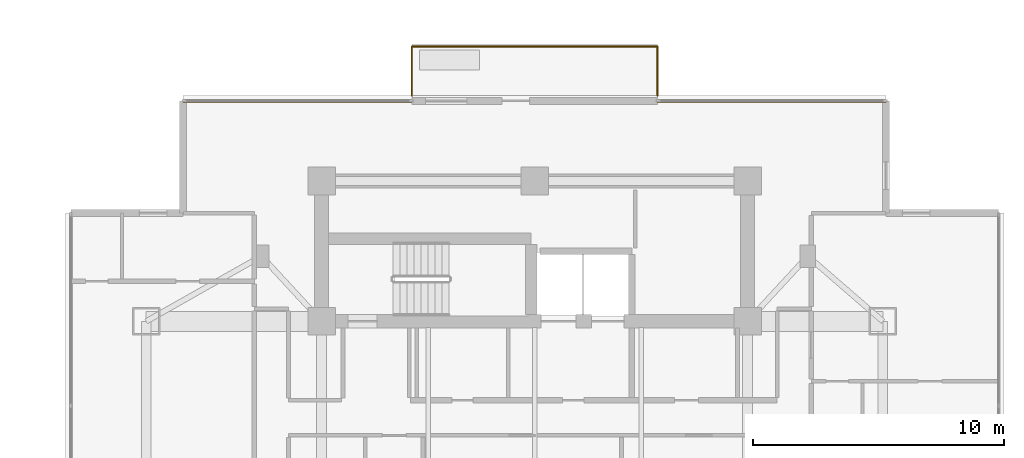
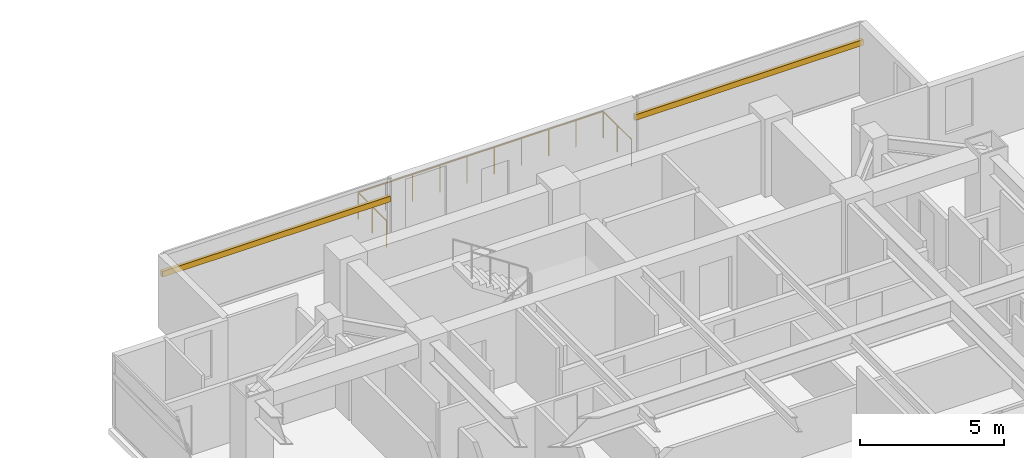
# One storey, part 24 of 24: 3 railings, 2 shading devices.
"""IFC4 building model written with IfcOpenShell, lengths in metres."""

from ifc_helpers import new_model, si_unit, direction, frame, origin, origin_2d, place, context, subcontext, project, spatial, rectangle, circle, extrude, material, material_profile, profile_set, type_object, element, save


model = new_model("IFC4")

# Units and contexts
model_context = context("Model", 3, precision=1e-05, world=origin(), true_north=direction((0.0, 1.0)))
body_context = subcontext(model_context, "Body", "Model", "MODEL_VIEW")
ifc_project = project(units=[si_unit("LENGTHUNIT", "METRE"), si_unit("AREAUNIT", "SQUARE_METRE"), si_unit("VOLUMEUNIT", "CUBIC_METRE"), si_unit("PLANEANGLEUNIT", "RADIAN"), si_unit("MASSUNIT", "GRAM", prefix="KILO")], contexts=[model_context])

# Site, building, storey
site_placement = place(None, origin())
site = spatial("IfcSite", under=ifc_project, at=site_placement, CompositionType="ELEMENT")
building_placement = place(site_placement, origin())
building = spatial("IfcBuilding", under=site, at=building_placement, Name="Mirazonda Arch Towers", CompositionType="ELEMENT")
storey_placement = place(building_placement, frame((0.0, 0.0, 141.199951171875)))
storey = spatial("IfcBuildingStorey", under=building, at=storey_placement, Name="L40", CompositionType="ELEMENT", Elevation=141.199951171875)

# Shading devices
ifc_material_1 = material(Name="Kiln-Fired Architectural Terracotta", Category="masonry")
ifc_material_profile = material_profile(ifc_material_1, rectangle(XDim=0.1201171875, YDim=0.239990234375, at=origin_2d()), Name="TERRA-BAG-120x240")
ifc_profile_set = profile_set([ifc_material_profile], Name="Kiln-Fired Architectural Terracotta")
shading_device_type = type_object("IfcShadingDeviceType", Name="BAGUETTE-1", PredefinedType="USERDEFINED", material=ifc_profile_set)
for number, where, z_axis, x_axis, name in (
    (1, (62.4755859375, 44.002197265625, 2.203369140625), (1.0, 0.0, 0.0), (0.0, 1.0, 0.0), "L40 Glazed Terracotta Sun-Screen Baguette CW-L40-T2-NA"),
    (2, (81.389892578125, 44.002197265625, 2.203369140625), (1.0, 0.0, 0.0), (0.0, 1.0, 0.0), "L40 Glazed Terracotta Sun-Screen Baguette CW-L40-T2-NB"),
):
    element("IfcShadingDevice", number, at=place(storey_placement, frame(where, z_axis=z_axis, x_axis=x_axis)), inside=storey, type_object=shading_device_type, Name=name, ObjectType="BAGUETTE", PredefinedType="USERDEFINED", context=body_context, shape_type="SweptSolid", body=[
        extrude(rectangle(XDim=0.1201171875, YDim=0.239990234375, at=origin_2d()), origin(), (0.0, 0.0, 1.0), 9.134521484375),
    ])

# Railings
ifc_material_2 = material(Name="Architectural Brushed Steel S355", Category="steel")
railing_type = type_object("IfcRailingType", Name="GUARD-EXT-1150", PredefinedType="GUARDRAIL", material=ifc_material_2)
railing_1_placement = place(storey_placement, frame((71.60009765625, 44.212158203125, 0.0)))
element("IfcRailing", 3, at=railing_1_placement, inside=storey, type_object=railing_type, Name="L40 T2 Sky-Terrace Guard 01", PredefinedType="GUARDRAIL", context=body_context, shape_type="SweptSolid", body=[
    extrude(circle(Radius=0.02392578125, at=origin_2d()), frame((0.0, 0.0, 1.1259765625), z_axis=(0.0, 1.0, 0.0), x_axis=(-1.0, 0.0, 0.0)), (0.0, 0.0, 1.0), 1.9599609375),
    extrude(circle(Radius=0.02099609375, at=origin_2d()), origin(), (0.0, 0.0, 1.0), 1.101806640625),
    extrude(circle(Radius=0.02099609375, at=origin_2d()), frame((0.0, 0.97998046875, 0.0)), (0.0, 0.0, 1.0), 1.101806640625),
    extrude(circle(Radius=0.02099609375, at=origin_2d()), frame((0.0, 1.9599609375, 0.0)), (0.0, 0.0, 1.0), 1.101806640625),
])
railing_2_placement = place(storey_placement, frame((71.60009765625, 46.172119140625, 0.0)))
element("IfcRailing", 4, at=railing_2_placement, inside=storey, type_object=railing_type, Name="L40 T2 Sky-Terrace Guard 02", PredefinedType="GUARDRAIL", context=body_context, shape_type="SweptSolid", body=[
    extrude(circle(Radius=0.02392578125, at=origin_2d()), frame((0.0, 0.0, 1.1259765625), z_axis=(1.0, 0.0, 0.0), x_axis=(0.0, 1.0, 0.0)), (0.0, 0.0, 1.0), 9.7998046875),
    extrude(circle(Radius=0.02099609375, at=origin_2d()), origin(), (0.0, 0.0, 1.0), 1.101806640625),
    extrude(circle(Radius=0.02099609375, at=origin_2d()), frame((1.0888671875, 0.0, 0.0)), (0.0, 0.0, 1.0), 1.101806640625),
    extrude(circle(Radius=0.02099609375, at=origin_2d()), frame((2.177734375, 0.0, 0.0)), (0.0, 0.0, 1.0), 1.101806640625),
    extrude(circle(Radius=0.02099609375, at=origin_2d()), frame((3.2666015625, 0.0, 0.0)), (0.0, 0.0, 1.0), 1.101806640625),
    extrude(circle(Radius=0.02099609375, at=origin_2d()), frame((4.35546875, 0.0, 0.0)), (0.0, 0.0, 1.0), 1.101806640625),
    extrude(circle(Radius=0.02099609375, at=origin_2d()), frame((5.4443359375, 0.0, 0.0)), (0.0, 0.0, 1.0), 1.101806640625),
    extrude(circle(Radius=0.02099609375, at=origin_2d()), frame((6.533203125, 0.0, 0.0)), (0.0, 0.0, 1.0), 1.101806640625),
    extrude(circle(Radius=0.02099609375, at=origin_2d()), frame((7.6220703125, 0.0, 0.0)), (0.0, 0.0, 1.0), 1.101806640625),
    extrude(circle(Radius=0.02099609375, at=origin_2d()), frame((8.7109375, 0.0, 0.0)), (0.0, 0.0, 1.0), 1.101806640625),
    extrude(circle(Radius=0.02099609375, at=origin_2d()), frame((9.7998046875, 0.0, 0.0)), (0.0, 0.0, 1.0), 1.101806640625),
])
railing_3_placement = place(storey_placement, frame((81.39990234375, 46.172119140625, 0.0)))
element("IfcRailing", 5, at=railing_3_placement, inside=storey, type_object=railing_type, Name="L40 T2 Sky-Terrace Guard 03", PredefinedType="GUARDRAIL", context=body_context, shape_type="SweptSolid", body=[
    extrude(circle(Radius=0.02392578125, at=origin_2d()), frame((0.0, 0.0, 1.1259765625), z_axis=(0.0, -1.0, 0.0), x_axis=(1.0, 0.0, 0.0)), (0.0, 0.0, 1.0), 1.9599609375),
    extrude(circle(Radius=0.02099609375, at=origin_2d()), origin(), (0.0, 0.0, 1.0), 1.101806640625),
    extrude(circle(Radius=0.02099609375, at=origin_2d()), frame((0.0, -0.97998046875, 0.0)), (0.0, 0.0, 1.0), 1.101806640625),
    extrude(circle(Radius=0.02099609375, at=origin_2d()), frame((0.0, -1.9599609375, 0.0)), (0.0, 0.0, 1.0), 1.101806640625),
])

save(model, "model.ifc")
